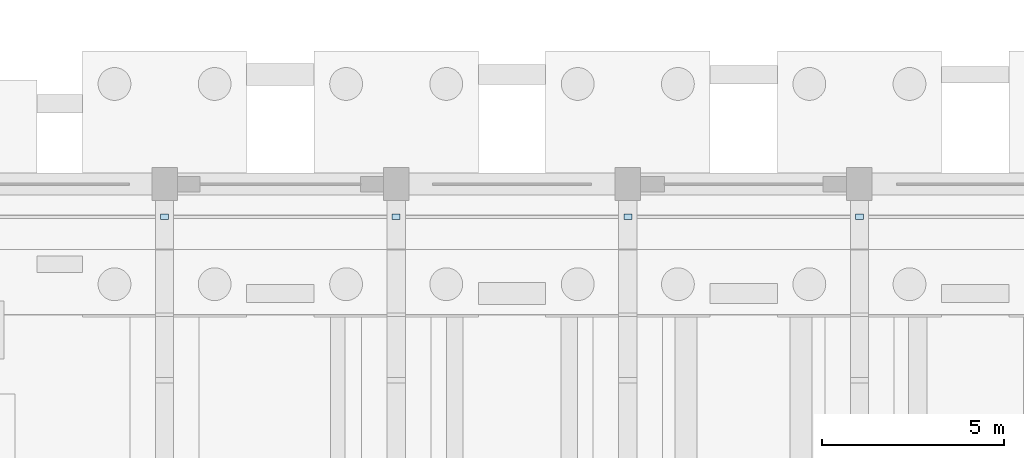
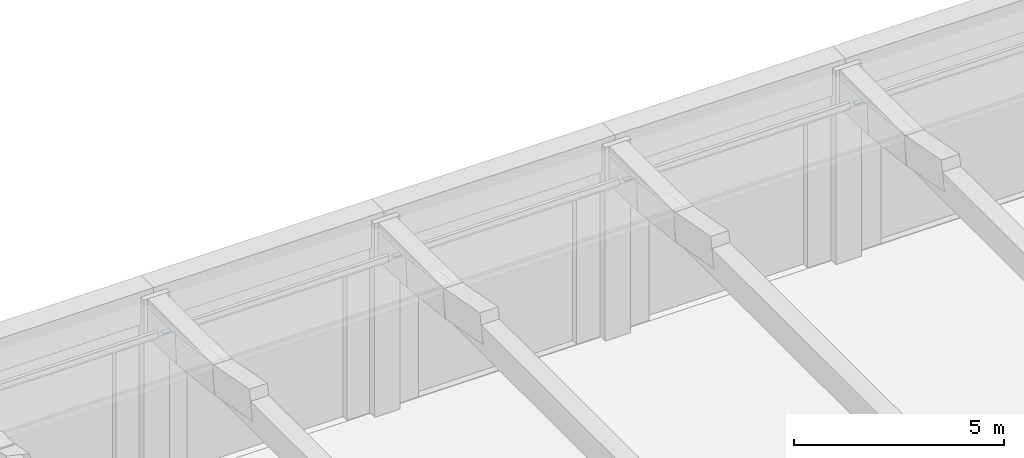
# One storey, part 29 of 60: 4 plates.
"""IFC4 building model written with IfcOpenShell, lengths in metres."""

import ifcopenshell
import ifcopenshell.guid

model = None  # the IFC model being written
_history = None  # IfcOwnerHistory: only IFC2X3 demands one
_inside = {}  # id of a spatial element -> (the spatial element, [elements in it])
_under = {}  # id of a project, library or spatial element -> (it, [spatial elements below it])
_declared = {}  # id of a project -> (the project, [libraries it declares])
_typed = {}  # id of a type object -> (the type object, [elements of that type])
_made_of = {}  # id of a material, layer set ... -> (it, [elements and type objects made of it])


def new_model(schema):
    """Start an empty IFC model of exactly this schema.

    Asked for "IFC4X3", IfcOpenShell would pick the latest addendum, in which some entities
    have other attributes; the version numbers below select the first issue.
    IFC2X3 requires an IfcOwnerHistory on every rooted entity: one is made here for all.
    """
    global model, _history
    if schema == "IFC4X3":
        model = ifcopenshell.file(schema_version=(4, 3, 0, 0))
    else:
        model = ifcopenshell.file(schema=schema)
    _inside.clear()
    _under.clear()
    _declared.clear()
    _typed.clear()
    _made_of.clear()
    _history = None
    if model.schema == "IFC2X3":
        org = make("IfcOrganization", Name="unknown")
        user = make(
            "IfcPersonAndOrganization",
            ThePerson=make("IfcPerson", FamilyName="unknown"),
            TheOrganization=org,
        )
        app = make(
            "IfcApplication",
            ApplicationDeveloper=org,
            Version="unknown",
            ApplicationFullName="unknown",
            ApplicationIdentifier="unknown",
        )
        _history = make(
            "IfcOwnerHistory",
            OwningUser=user,
            OwningApplication=app,
            ChangeAction="ADDED",
            CreationDate=0,
        )
    return model


def make(cls, **values):
    """One entity of the class cls with the attributes given. An attribute that is None is left unset."""
    return model.create_entity(
        cls, **{name: value for name, value in values.items() if value is not None}
    )


def rooted(cls, **values):
    """An entity with a GlobalId (a new one), such as an element, a storey or a relation."""
    return make(cls, GlobalId=ifcopenshell.guid.new(), OwnerHistory=_history, **values)


def si_unit(unit_type, name, prefix=None):
    """IfcSIUnit, for example si_unit("LENGTHUNIT", "METRE", prefix="MILLI")."""
    return make("IfcSIUnit", UnitType=unit_type, Prefix=prefix, Name=name)


def assignment(units):
    """IfcUnitAssignment: the units of a project."""
    return None if units is None else make("IfcUnitAssignment", Units=units)


def point(xyz):
    """IfcCartesianPoint."""
    return None if xyz is None else make("IfcCartesianPoint", Coordinates=xyz)


def direction(xyz):
    """IfcDirection."""
    return None if xyz is None else make("IfcDirection", DirectionRatios=xyz)


def frame(location, z_axis=None, x_axis=None):
    """IfcAxis2Placement3D, a coordinate frame: its origin and axes. An axis left out is left unset."""
    return make(
        "IfcAxis2Placement3D",
        Location=point(location),
        Axis=direction(z_axis),
        RefDirection=direction(x_axis),
    )


def frame_2d(location, x_axis=None):
    """IfcAxis2Placement2D, a coordinate frame in the plane: its origin and x axis."""
    return make(
        "IfcAxis2Placement2D", Location=point(location), RefDirection=direction(x_axis)
    )


def origin():
    """The frame at (0, 0, 0) with its axes left unset."""
    return frame((0.0, 0.0, 0.0))


def origin_2d():
    """The frame at (0, 0) in the plane with its x axis left unset."""
    return frame_2d((0.0, 0.0))


def place(relative_to, where):
    """IfcLocalPlacement: puts the frame where relative to a parent placement (None: the world)."""
    return make(
        "IfcLocalPlacement", PlacementRelTo=relative_to, RelativePlacement=where
    )


def context(
    kind, dimensions, precision=None, world=None, true_north=None, identifier=None
):
    """IfcGeometricRepresentationContext, for example the 3D "Model" context."""
    return make(
        "IfcGeometricRepresentationContext",
        ContextIdentifier=identifier,
        ContextType=kind,
        CoordinateSpaceDimension=dimensions,
        Precision=precision,
        WorldCoordinateSystem=world,
        TrueNorth=true_north,
    )


def subcontext(parent, identifier, kind, view, scale=None):
    """IfcGeometricRepresentationSubContext, for example "Body" below "Model"."""
    return make(
        "IfcGeometricRepresentationSubContext",
        ContextIdentifier=identifier,
        ContextType=kind,
        ParentContext=parent,
        TargetScale=scale,
        TargetView=view,
    )


def project(units=None, contexts=None):
    """IfcProject with its units and contexts."""
    return rooted(
        "IfcProject",
        Name="project",
        RepresentationContexts=contexts,
        UnitsInContext=assignment(units),
    )


def spatial(cls, under=None, at=None, **own):
    """A site, building, storey or space (cls), placed at a placement, below another one or the project."""
    s = rooted(cls, ObjectPlacement=at, **own)
    if under is not None:
        _under.setdefault(under.id(), (under, []))[1].append(s)
    return s


def profile(cls, at=None, kind="AREA", **sizes):
    """A parametric profile (cls). Its sizes go by their IFC names, for example OverallWidth=200.0."""
    return make(cls, ProfileType=kind, Position=at, **sizes)


def rectangle(**sizes):
    """IfcRectangleProfileDef."""
    return profile("IfcRectangleProfileDef", **sizes)


def extrude(swept, where, along, depth):
    """IfcExtrudedAreaSolid: the profile swept, set in the frame where, extruded along a direction by depth."""
    return make(
        "IfcExtrudedAreaSolid",
        SweptArea=swept,
        Position=where,
        ExtrudedDirection=direction(along),
        Depth=depth,
    )


def shape(context_of_items, identifier, shape_type, items):
    """IfcShapeRepresentation: the items that make up one representation, for example the "Body"."""
    return make(
        "IfcShapeRepresentation",
        ContextOfItems=context_of_items,
        RepresentationIdentifier=identifier,
        RepresentationType=shape_type,
        Items=items,
    )


def material(Name=None, Category=None):
    """IfcMaterial."""
    return make("IfcMaterial", Name=Name, Category=Category)


def layer(
    of_material, thickness, ventilated=None, Name=None, Category=None, Priority=None
):
    """IfcMaterialLayer: one layer of a wall or slab, of a material (None: an air gap)."""
    return make(
        "IfcMaterialLayer",
        Material=of_material,
        LayerThickness=thickness,
        IsVentilated=ventilated,
        Name=Name,
        Category=Category,
        Priority=Priority,
    )


def layer_set(layers, Name=None):
    """IfcMaterialLayerSet."""
    return make("IfcMaterialLayerSet", MaterialLayers=layers, LayerSetName=Name)


def made_of(thing, what):
    """Note that an element or type object is made of a material, layer set ...; save() writes the relation."""
    if what is not None:
        _made_of.setdefault(what.id(), (what, []))[1].append(thing)
    return thing


def type_object(cls, material=None, **own):
    """A type object (cls), such as IfcWallType, which elements share."""
    return made_of(rooted(cls, **own), material)


def element(
    cls,
    number,
    at=None,
    inside=None,
    cuts=None,
    type_object=None,
    material=None,
    context=None,
    identifier="Body",
    shape_type=None,
    held_by="IfcProductDefinitionShape",
    body=None,
    shapes=None,
    **own,
):
    """One element of the class cls, such as IfcWall. Its Tag is "e" and its number.

    at: its placement. inside: the storey or other place that contains it. cuts: it is an
    opening in that element (IfcRelVoidsElement). A single representation is given by context,
    identifier, shape_type and body (its items); several are given by shapes. held_by: the class
    of the entity that holds the representations. save() writes the other relations.
    """
    e = rooted(cls, Tag="e%d" % number, ObjectPlacement=at, **own)
    if body is not None:
        shapes = [shape(context, identifier, shape_type, body)]
    if shapes is not None:
        e.Representation = make(held_by, Representations=shapes)
    if inside is not None:
        _inside.setdefault(inside.id(), (inside, []))[1].append(e)
    if cuts is not None:
        rooted(
            "IfcRelVoidsElement", RelatingBuildingElement=cuts, RelatedOpeningElement=e
        )
    if type_object is not None:
        _typed.setdefault(type_object.id(), (type_object, []))[1].append(e)
    return made_of(e, material)


def aggregate(whole, parts):
    """IfcRelAggregates: a whole, such as a stair, and the parts it consists of."""
    return rooted("IfcRelAggregates", RelatingObject=whole, RelatedObjects=parts)


def save(model, path):
    """Write the relations noted so far, then the file.

    IfcRelAggregates (storeys below a building ...), IfcRelContainedInSpatialStructure (elements
    in a storey), IfcRelDefinesByType, IfcRelAssociatesMaterial and IfcRelDeclares: one each for
    every whole, place, type object, material and project.
    """
    for whole, parts in _under.values():
        aggregate(whole, parts)
    for where, things in _inside.values():
        rooted(
            "IfcRelContainedInSpatialStructure",
            RelatedElements=things,
            RelatingStructure=where,
        )
    for kind, things in _typed.values():
        rooted("IfcRelDefinesByType", RelatedObjects=things, RelatingType=kind)
    for what, things in _made_of.values():
        rooted("IfcRelAssociatesMaterial", RelatedObjects=things, RelatingMaterial=what)
    for by, libraries in _declared.values():
        rooted("IfcRelDeclares", RelatingContext=by, RelatedDefinitions=libraries)
    model.write(path)


model = new_model("IFC4")

# Units and contexts
model_context = context("Model", 3, precision=1e-05, world=origin(), true_north=direction((0.0, 1.0)))
body_context = subcontext(model_context, "Body", "Model", "MODEL_VIEW")
ifc_project = project(units=[si_unit("LENGTHUNIT", "METRE"), si_unit("AREAUNIT", "SQUARE_METRE"), si_unit("VOLUMEUNIT", "CUBIC_METRE"), si_unit("PLANEANGLEUNIT", "RADIAN"), si_unit("MASSUNIT", "GRAM", prefix="KILO")], contexts=[model_context])

# Site, building, storey
site_placement = place(None, origin())
site = spatial("IfcSite", under=ifc_project, at=site_placement, CompositionType="ELEMENT")
building_placement = place(site_placement, origin())
building = spatial("IfcBuilding", under=site, at=building_placement, Name="Trellovar Central Fire Station", CompositionType="ELEMENT")
storey_placement = place(building_placement, origin())
storey = spatial("IfcBuildingStorey", under=building, at=storey_placement, Name="L01", CompositionType="ELEMENT", Elevation=0.0)

# Plates
ifc_material = material(Name="Steel ASTM A36", Category="steel")
ifc_layer = layer(ifc_material, 0.01611328125)
ifc_layer_set = layer_set([ifc_layer], Name="Steel ASTM A36")
plate_type = type_object("IfcPlateType", Name="PLT-EP4", PredefinedType="SHEET", material=ifc_layer_set)
for number, where, z_axis, x_axis, name in (
    (1, (41.35009765625, 45.103271484375, 4.884765625), (0.0, 0.0, 1.0), (1.0, 0.0, 0.0), "HSS end-cap plate 222"),
    (2, (47.699951171875, 45.103271484375, 4.884765625), (0.0, 0.0, 1.0), (1.0, 0.0, 0.0), "HSS end-cap plate 231"),
    (3, (54.050048828125, 45.103271484375, 4.884765625), (0.0, 0.0, 1.0), (1.0, 0.0, 0.0), "HSS end-cap plate 240"),
    (4, (60.39990234375, 45.103271484375, 4.884765625), (0.0, 0.0, 1.0), (1.0, 0.0, 0.0), "HSS end-cap plate 249"),
):
    element("IfcPlate", number, at=place(storey_placement, frame(where, z_axis=z_axis, x_axis=x_axis)), inside=storey, type_object=plate_type, Name=name, PredefinedType="SHEET", context=body_context, shape_type="SweptSolid", body=[
        extrude(rectangle(XDim=0.219970703125, YDim=0.139892578125, at=origin_2d()), origin(), (0.0, 0.0, 1.0), 0.01611328125),
    ])

save(model, "model.ifc")
